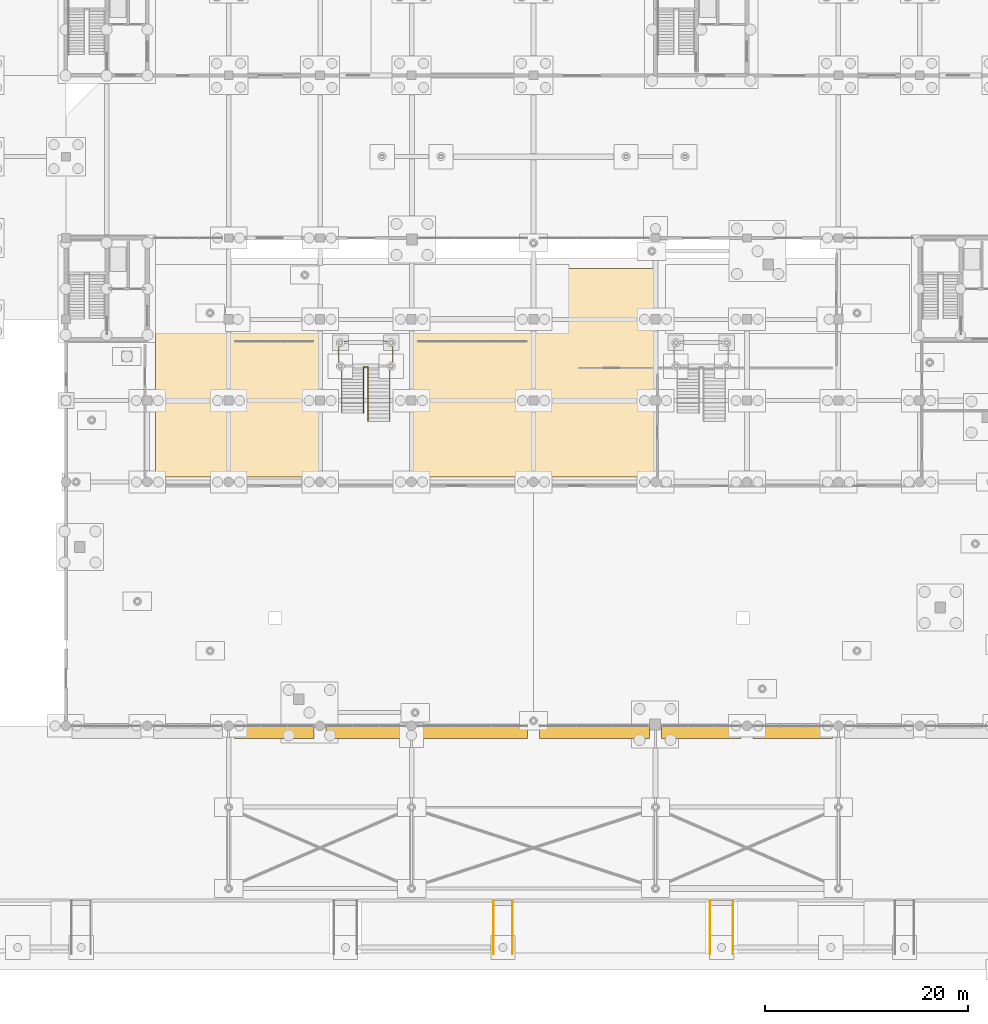
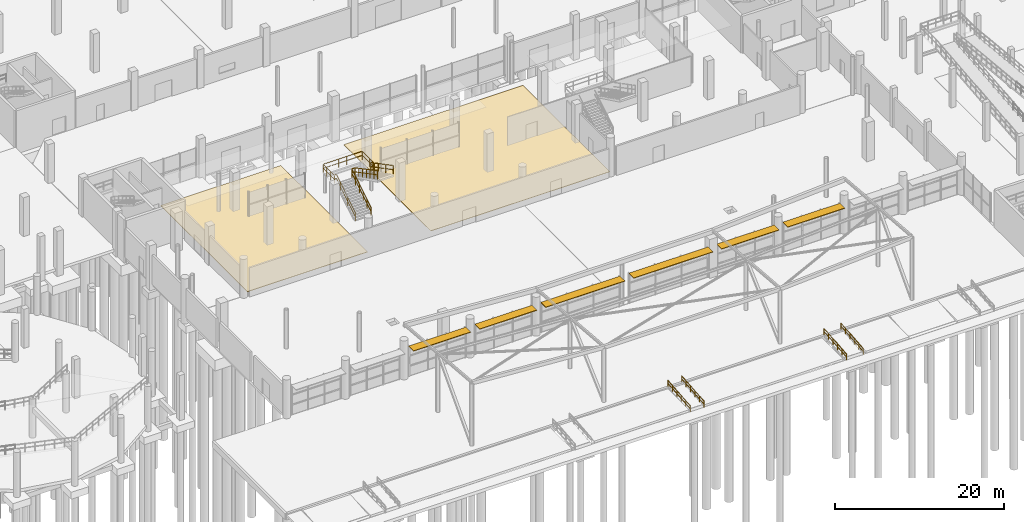
# One storey, part 90 of 98: 6 railings, 6 shading devices, 2 coverings.
"""IFC4 building model written with IfcOpenShell, lengths in metres."""

import ifcopenshell
import ifcopenshell.guid

model = None  # the IFC model being written
_history = None  # IfcOwnerHistory: only IFC2X3 demands one
_inside = {}  # id of a spatial element -> (the spatial element, [elements in it])
_under = {}  # id of a project, library or spatial element -> (it, [spatial elements below it])
_declared = {}  # id of a project -> (the project, [libraries it declares])
_typed = {}  # id of a type object -> (the type object, [elements of that type])
_made_of = {}  # id of a material, layer set ... -> (it, [elements and type objects made of it])


def new_model(schema):
    """Start an empty IFC model of exactly this schema.

    Asked for "IFC4X3", IfcOpenShell would pick the latest addendum, in which some entities
    have other attributes; the version numbers below select the first issue.
    IFC2X3 requires an IfcOwnerHistory on every rooted entity: one is made here for all.
    """
    global model, _history
    if schema == "IFC4X3":
        model = ifcopenshell.file(schema_version=(4, 3, 0, 0))
    else:
        model = ifcopenshell.file(schema=schema)
    _inside.clear()
    _under.clear()
    _declared.clear()
    _typed.clear()
    _made_of.clear()
    _history = None
    if model.schema == "IFC2X3":
        org = make("IfcOrganization", Name="unknown")
        user = make(
            "IfcPersonAndOrganization",
            ThePerson=make("IfcPerson", FamilyName="unknown"),
            TheOrganization=org,
        )
        app = make(
            "IfcApplication",
            ApplicationDeveloper=org,
            Version="unknown",
            ApplicationFullName="unknown",
            ApplicationIdentifier="unknown",
        )
        _history = make(
            "IfcOwnerHistory",
            OwningUser=user,
            OwningApplication=app,
            ChangeAction="ADDED",
            CreationDate=0,
        )
    return model


def make(cls, **values):
    """One entity of the class cls with the attributes given. An attribute that is None is left unset."""
    return model.create_entity(
        cls, **{name: value for name, value in values.items() if value is not None}
    )


def rooted(cls, **values):
    """An entity with a GlobalId (a new one), such as an element, a storey or a relation."""
    return make(cls, GlobalId=ifcopenshell.guid.new(), OwnerHistory=_history, **values)


def si_unit(unit_type, name, prefix=None):
    """IfcSIUnit, for example si_unit("LENGTHUNIT", "METRE", prefix="MILLI")."""
    return make("IfcSIUnit", UnitType=unit_type, Prefix=prefix, Name=name)


def derived_unit(unit_type, elements):
    """IfcDerivedUnit: a product of units, each with its exponent."""
    return make(
        "IfcDerivedUnit",
        Elements=[
            make("IfcDerivedUnitElement", Unit=unit, Exponent=power)
            for unit, power in elements
        ],
        UnitType=unit_type,
    )


def assignment(units):
    """IfcUnitAssignment: the units of a project."""
    return None if units is None else make("IfcUnitAssignment", Units=units)


def point(xyz):
    """IfcCartesianPoint."""
    return None if xyz is None else make("IfcCartesianPoint", Coordinates=xyz)


def direction(xyz):
    """IfcDirection."""
    return None if xyz is None else make("IfcDirection", DirectionRatios=xyz)


def frame(location, z_axis=None, x_axis=None):
    """IfcAxis2Placement3D, a coordinate frame: its origin and axes. An axis left out is left unset."""
    return make(
        "IfcAxis2Placement3D",
        Location=point(location),
        Axis=direction(z_axis),
        RefDirection=direction(x_axis),
    )


def frame_2d(location, x_axis=None):
    """IfcAxis2Placement2D, a coordinate frame in the plane: its origin and x axis."""
    return make(
        "IfcAxis2Placement2D", Location=point(location), RefDirection=direction(x_axis)
    )


def origin():
    """The frame at (0, 0, 0) with its axes left unset."""
    return frame((0.0, 0.0, 0.0))


def origin_2d():
    """The frame at (0, 0) in the plane with its x axis left unset."""
    return frame_2d((0.0, 0.0))


def place(relative_to, where):
    """IfcLocalPlacement: puts the frame where relative to a parent placement (None: the world)."""
    return make(
        "IfcLocalPlacement", PlacementRelTo=relative_to, RelativePlacement=where
    )


def context(
    kind, dimensions, precision=None, world=None, true_north=None, identifier=None
):
    """IfcGeometricRepresentationContext, for example the 3D "Model" context."""
    return make(
        "IfcGeometricRepresentationContext",
        ContextIdentifier=identifier,
        ContextType=kind,
        CoordinateSpaceDimension=dimensions,
        Precision=precision,
        WorldCoordinateSystem=world,
        TrueNorth=true_north,
    )


def subcontext(parent, identifier, kind, view, scale=None):
    """IfcGeometricRepresentationSubContext, for example "Body" below "Model"."""
    return make(
        "IfcGeometricRepresentationSubContext",
        ContextIdentifier=identifier,
        ContextType=kind,
        ParentContext=parent,
        TargetScale=scale,
        TargetView=view,
    )


def project(units=None, contexts=None):
    """IfcProject with its units and contexts."""
    return rooted(
        "IfcProject",
        Name="project",
        RepresentationContexts=contexts,
        UnitsInContext=assignment(units),
    )


def spatial(cls, under=None, at=None, **own):
    """A site, building, storey or space (cls), placed at a placement, below another one or the project."""
    s = rooted(cls, ObjectPlacement=at, **own)
    if under is not None:
        _under.setdefault(under.id(), (under, []))[1].append(s)
    return s


def polyline(points):
    """IfcPolyline through the points."""
    return make("IfcPolyline", Points=[point(p) for p in points])


def profile(cls, at=None, kind="AREA", **sizes):
    """A parametric profile (cls). Its sizes go by their IFC names, for example OverallWidth=200.0."""
    return make(cls, ProfileType=kind, Position=at, **sizes)


def rectangle(**sizes):
    """IfcRectangleProfileDef."""
    return profile("IfcRectangleProfileDef", **sizes)


def circle(**sizes):
    """IfcCircleProfileDef."""
    return profile("IfcCircleProfileDef", **sizes)


def outline(outer, holes=None, kind="AREA"):
    """IfcArbitraryClosedProfileDef: a profile drawn as a closed curve; with holes, ...WithVoids."""
    if holes is None:
        return make("IfcArbitraryClosedProfileDef", ProfileType=kind, OuterCurve=outer)
    return make(
        "IfcArbitraryProfileDefWithVoids",
        ProfileType=kind,
        OuterCurve=outer,
        InnerCurves=holes,
    )


def extrude(swept, where, along, depth):
    """IfcExtrudedAreaSolid: the profile swept, set in the frame where, extruded along a direction by depth."""
    return make(
        "IfcExtrudedAreaSolid",
        SweptArea=swept,
        Position=where,
        ExtrudedDirection=direction(along),
        Depth=depth,
    )


def shape(context_of_items, identifier, shape_type, items):
    """IfcShapeRepresentation: the items that make up one representation, for example the "Body"."""
    return make(
        "IfcShapeRepresentation",
        ContextOfItems=context_of_items,
        RepresentationIdentifier=identifier,
        RepresentationType=shape_type,
        Items=items,
    )


def material(Name=None, Category=None):
    """IfcMaterial."""
    return make("IfcMaterial", Name=Name, Category=Category)


def layer(
    of_material, thickness, ventilated=None, Name=None, Category=None, Priority=None
):
    """IfcMaterialLayer: one layer of a wall or slab, of a material (None: an air gap)."""
    return make(
        "IfcMaterialLayer",
        Material=of_material,
        LayerThickness=thickness,
        IsVentilated=ventilated,
        Name=Name,
        Category=Category,
        Priority=Priority,
    )


def layer_set(layers, Name=None):
    """IfcMaterialLayerSet."""
    return make("IfcMaterialLayerSet", MaterialLayers=layers, LayerSetName=Name)


def material_profile(
    of_material, cross_section, Name=None, Category=None, Priority=None
):
    """IfcMaterialProfile: a cross section and its material."""
    return make(
        "IfcMaterialProfile",
        Name=Name,
        Material=of_material,
        Profile=cross_section,
        Priority=Priority,
        Category=Category,
    )


def profile_set(profiles, Name=None, composite=None):
    """IfcMaterialProfileSet."""
    return make(
        "IfcMaterialProfileSet",
        Name=Name,
        MaterialProfiles=profiles,
        CompositeProfile=composite,
    )


def made_of(thing, what):
    """Note that an element or type object is made of a material, layer set ...; save() writes the relation."""
    if what is not None:
        _made_of.setdefault(what.id(), (what, []))[1].append(thing)
    return thing


def type_object(cls, material=None, **own):
    """A type object (cls), such as IfcWallType, which elements share."""
    return made_of(rooted(cls, **own), material)


def element(
    cls,
    number,
    at=None,
    inside=None,
    cuts=None,
    type_object=None,
    material=None,
    context=None,
    identifier="Body",
    shape_type=None,
    held_by="IfcProductDefinitionShape",
    body=None,
    shapes=None,
    **own,
):
    """One element of the class cls, such as IfcWall. Its Tag is "e" and its number.

    at: its placement. inside: the storey or other place that contains it. cuts: it is an
    opening in that element (IfcRelVoidsElement). A single representation is given by context,
    identifier, shape_type and body (its items); several are given by shapes. held_by: the class
    of the entity that holds the representations. save() writes the other relations.
    """
    e = rooted(cls, Tag="e%d" % number, ObjectPlacement=at, **own)
    if body is not None:
        shapes = [shape(context, identifier, shape_type, body)]
    if shapes is not None:
        e.Representation = make(held_by, Representations=shapes)
    if inside is not None:
        _inside.setdefault(inside.id(), (inside, []))[1].append(e)
    if cuts is not None:
        rooted(
            "IfcRelVoidsElement", RelatingBuildingElement=cuts, RelatedOpeningElement=e
        )
    if type_object is not None:
        _typed.setdefault(type_object.id(), (type_object, []))[1].append(e)
    return made_of(e, material)


def aggregate(whole, parts):
    """IfcRelAggregates: a whole, such as a stair, and the parts it consists of."""
    return rooted("IfcRelAggregates", RelatingObject=whole, RelatedObjects=parts)


def save(model, path):
    """Write the relations noted so far, then the file.

    IfcRelAggregates (storeys below a building ...), IfcRelContainedInSpatialStructure (elements
    in a storey), IfcRelDefinesByType, IfcRelAssociatesMaterial and IfcRelDeclares: one each for
    every whole, place, type object, material and project.
    """
    for whole, parts in _under.values():
        aggregate(whole, parts)
    for where, things in _inside.values():
        rooted(
            "IfcRelContainedInSpatialStructure",
            RelatedElements=things,
            RelatingStructure=where,
        )
    for kind, things in _typed.values():
        rooted("IfcRelDefinesByType", RelatedObjects=things, RelatingType=kind)
    for what, things in _made_of.values():
        rooted("IfcRelAssociatesMaterial", RelatedObjects=things, RelatingMaterial=what)
    for by, libraries in _declared.values():
        rooted("IfcRelDeclares", RelatingContext=by, RelatedDefinitions=libraries)
    model.write(path)


model = new_model("IFC4")

# Units and contexts
model_context = context("Model", 3, precision=1e-05, world=origin(), true_north=direction((0.0, 1.0)))
body_context = subcontext(model_context, "Body", "Model", "MODEL_VIEW")
ifc_project = project(units=[si_unit("LENGTHUNIT", "METRE"), si_unit("AREAUNIT", "SQUARE_METRE"), si_unit("VOLUMEUNIT", "CUBIC_METRE"), si_unit("PLANEANGLEUNIT", "RADIAN"), si_unit("MASSUNIT", "GRAM", prefix="KILO"), si_unit("THERMODYNAMICTEMPERATUREUNIT", "KELVIN"), derived_unit("THERMALTRANSMITTANCEUNIT", [(si_unit("POWERUNIT", "WATT"), 1), (si_unit("AREAUNIT", "SQUARE_METRE"), -1), (si_unit("THERMODYNAMICTEMPERATUREUNIT", "KELVIN"), -1)])], contexts=[model_context])

# Site, building, storey
site_placement = place(None, origin())
site = spatial("IfcSite", under=ifc_project, at=site_placement, CompositionType="ELEMENT")
building_placement = place(site_placement, origin())
building = spatial("IfcBuilding", under=site, at=building_placement, Name="Haiyu Intermodal Mobility Hub", CompositionType="ELEMENT")
storey_placement = place(building_placement, origin())
storey = spatial("IfcBuildingStorey", under=building, at=storey_placement, Name="L00", CompositionType="ELEMENT", Elevation=0.0)

# Coverings
ifc_material_1 = material(Name="Anodised aluminium 6063-T6", Category="aluminium")
ifc_layer = layer(ifc_material_1, 0.06005859375)
ifc_layer_set = layer_set([ifc_layer], Name="Anodised aluminium 6063-T6")
covering_type = type_object("IfcCoveringType", Name="COV-CV02", PredefinedType="CLADDING", material=ifc_layer_set)
covering_1_placement = place(storey_placement, origin())
element("IfcCovering", 1, at=covering_1_placement, inside=storey, type_object=covering_type, Name="COV-FLR-001", PredefinedType="CLADDING", context=body_context, shape_type="SweptSolid", body=[
    extrude(outline(polyline([(70.800048828125, 64.5), (87.199951171875, 64.5), (87.199951171875, 85.0), (70.800048828125, 85.0), (70.800048828125, 64.5)])), origin(), (0.0, 0.0, 1.0), 0.06005859375),
])
covering_2_placement = place(storey_placement, origin())
element("IfcCovering", 2, at=covering_2_placement, inside=storey, type_object=covering_type, Name="COV-FLR-002", PredefinedType="CLADDING", context=body_context, shape_type="SweptSolid", body=[
    extrude(outline(polyline([(95.800048828125, 64.5), (120.199951171875, 64.5), (120.199951171875, 85.0), (95.800048828125, 85.0), (95.800048828125, 64.5)])), origin(), (0.0, 0.0, 1.0), 0.06005859375),
])

# Railings
ifc_material_2 = material(Name="Steel Q355C", Category="steel")
railing_type_1 = type_object("IfcRailingType", Name="RAL-GR03", PredefinedType="GUARDRAIL", material=ifc_material_2)
railing_1_placement = place(storey_placement, frame((89.139892578125, 70.800048828125, 0.0)))
element("IfcRailing", 3, at=railing_1_placement, inside=storey, type_object=railing_type_1, Name="Concourse Stair 01 Outer & Half-Landing Guard", PredefinedType="GUARDRAIL", context=body_context, shape_type="SweptSolid", body=[
    extrude(circle(Radius=0.02392578125, at=origin_2d()), frame((0.0, 0.025390625, 1.23193359375), z_axis=(0.0, 0.845843487117, 0.533431153291), x_axis=(-1.0, 0.0, 0.0)), (0.0, 0.0, 1.0), 5.189208984375),
    extrude(circle(Radius=0.02392578125, at=origin_2d()), frame((0.0, 0.031494140625, 0.639892578125), z_axis=(0.0, 0.845843487117, 0.533431153291), x_axis=(-1.0, 0.0, 0.0)), (0.0, 0.0, 1.0), 0.975341796875),
    extrude(circle(Radius=0.02392578125, at=origin_2d()), frame((0.0, 0.91943359375, 1.199951171875), z_axis=(0.0, 0.845843487117, 0.533431153291), x_axis=(-1.0, 0.0, 0.0)), (0.0, 0.0, 1.0), 0.975341796875),
    extrude(circle(Radius=0.02392578125, at=origin_2d()), frame((0.0, 1.8076171875, 1.760009765625), z_axis=(0.0, 0.845843487117, 0.533431153291), x_axis=(-1.0, 0.0, 0.0)), (0.0, 0.0, 1.0), 0.975341796875),
    extrude(circle(Radius=0.02392578125, at=origin_2d()), frame((0.0, 2.695556640625, 2.31982421875), z_axis=(0.0, 0.845843487117, 0.533431153291), x_axis=(-1.0, 0.0, 0.0)), (0.0, 0.0, 1.0), 0.975341796875),
    extrude(circle(Radius=0.02392578125, at=origin_2d()), frame((0.0, 3.58349609375, 2.8798828125), z_axis=(0.0, 0.845843487117, 0.533431153291), x_axis=(-1.0, 0.0, 0.0)), (0.0, 0.0, 1.0), 0.975341796875),
    extrude(circle(Radius=0.02392578125, at=origin_2d()), frame((-0.030029296875, 4.43994140625, 4.01611328125), z_axis=(-1.0, 0.0, 0.0), x_axis=(0.0, -1.0, 0.0)), (0.0, 0.0, 1.0), 0.23974609375),
    extrude(circle(Radius=0.02392578125, at=origin_2d()), frame((-0.037353515625, 4.43994140625, 3.419921875), z_axis=(-1.0, 0.0, 0.0), x_axis=(0.0, -1.0, 0.0)), (0.0, 0.0, 1.0), 0.22509765625),
    extrude(circle(Radius=0.02392578125, at=origin_2d()), frame((-0.2998046875, 4.469970703125, 4.01611328125), z_axis=(0.0, 1.0, 0.0), x_axis=(-1.0, 0.0, 0.0)), (0.0, 0.0, 1.0), 2.5400390625),
    extrude(circle(Radius=0.02392578125, at=origin_2d()), frame((-0.2998046875, 4.477294921875, 3.419921875), z_axis=(0.0, 1.0, 0.0), x_axis=(-1.0, 0.0, 0.0)), (0.0, 0.0, 1.0), 0.7919921875),
    extrude(circle(Radius=0.02392578125, at=origin_2d()), frame((-0.2998046875, 5.343994140625, 3.419921875), z_axis=(0.0, 1.0, 0.0), x_axis=(-1.0, 0.0, 0.0)), (0.0, 0.0, 1.0), 0.7919921875),
    extrude(circle(Radius=0.02392578125, at=origin_2d()), frame((-0.2998046875, 6.210693359375, 3.419921875), z_axis=(0.0, 1.0, 0.0), x_axis=(-1.0, 0.0, 0.0)), (0.0, 0.0, 1.0), 0.7919921875),
    extrude(circle(Radius=0.02392578125, at=origin_2d()), frame((-0.269775390625, 7.0400390625, 4.01611328125), z_axis=(1.0, 0.0, 0.0), x_axis=(0.0, 1.0, 0.0)), (0.0, 0.0, 1.0), 5.259765625),
    extrude(circle(Radius=0.02392578125, at=origin_2d()), frame((-0.262451171875, 7.0400390625, 3.419921875), z_axis=(1.0, 0.0, 0.0), x_axis=(0.0, 1.0, 0.0)), (0.0, 0.0, 1.0), 0.9892578125),
    extrude(circle(Radius=0.02392578125, at=origin_2d()), frame((0.801513671875, 7.0400390625, 3.419921875), z_axis=(1.0, 0.0, 0.0), x_axis=(0.0, 1.0, 0.0)), (0.0, 0.0, 1.0), 0.9892578125),
    extrude(circle(Radius=0.02392578125, at=origin_2d()), frame((1.865478515625, 7.0400390625, 3.419921875), z_axis=(1.0, 0.0, 0.0), x_axis=(0.0, 1.0, 0.0)), (0.0, 0.0, 1.0), 0.9892578125),
    extrude(circle(Radius=0.02392578125, at=origin_2d()), frame((2.929443359375, 7.0400390625, 3.419921875), z_axis=(1.0, 0.0, 0.0), x_axis=(0.0, 1.0, 0.0)), (0.0, 0.0, 1.0), 0.9892578125),
    extrude(circle(Radius=0.02392578125, at=origin_2d()), frame((3.993408203125, 7.0400390625, 3.419921875), z_axis=(1.0, 0.0, 0.0), x_axis=(0.0, 1.0, 0.0)), (0.0, 0.0, 1.0), 0.9892578125),
    extrude(circle(Radius=0.02392578125, at=origin_2d()), frame((5.02001953125, 7.010009765625, 4.01611328125), z_axis=(0.0, -1.0, 0.0), x_axis=(1.0, 0.0, 0.0)), (0.0, 0.0, 1.0), 2.5400390625),
    extrude(circle(Radius=0.02392578125, at=origin_2d()), frame((5.02001953125, 7.002685546875, 3.419921875), z_axis=(0.0, -1.0, 0.0), x_axis=(1.0, 0.0, 0.0)), (0.0, 0.0, 1.0), 0.7919921875),
    extrude(circle(Radius=0.02392578125, at=origin_2d()), frame((5.02001953125, 6.135986328125, 3.419921875), z_axis=(0.0, -1.0, 0.0), x_axis=(1.0, 0.0, 0.0)), (0.0, 0.0, 1.0), 0.7919921875),
    extrude(circle(Radius=0.02392578125, at=origin_2d()), frame((5.02001953125, 5.269287109375, 3.419921875), z_axis=(0.0, -1.0, 0.0), x_axis=(1.0, 0.0, 0.0)), (0.0, 0.0, 1.0), 0.7919921875),
    extrude(circle(Radius=0.02392578125, at=origin_2d()), frame((4.991943359375, 4.4501953125, 4.01611328125), z_axis=(-0.938695003557, 0.34474873502, 0.0), x_axis=(-0.34474873502, -0.938695003557, 0.0)), (0.0, 0.0, 1.0), 0.25927734375),
    extrude(circle(Radius=0.02392578125, at=origin_2d()), frame((4.985107421875, 4.452880859375, 3.419921875), z_axis=(-0.938695003557, 0.34474873502, 0.0), x_axis=(-0.34474873502, -0.938695003557, 0.0)), (0.0, 0.0, 1.0), 0.244873046875),
    extrude(circle(Radius=0.02392578125, at=origin_2d()), frame((4.72021484375, 4.5234375, 4.02978515625), z_axis=(0.0, -0.885993706674, 0.463697263021), x_axis=(1.0, 0.0, 0.0)), (0.0, 0.0, 1.0), 5.978515625),
    extrude(circle(Radius=0.02392578125, at=origin_2d()), frame((4.72021484375, 4.51708984375, 3.437255859375), z_axis=(0.0, -0.885993706674, 0.463697263021), x_axis=(1.0, 0.0, 0.0)), (0.0, 0.0, 1.0), 0.931884765625),
    extrude(circle(Radius=0.02392578125, at=origin_2d()), frame((4.72021484375, 3.625244140625, 3.904052734375), z_axis=(0.0, -0.885993706674, 0.463697263021), x_axis=(1.0, 0.0, 0.0)), (0.0, 0.0, 1.0), 0.931884765625),
    extrude(circle(Radius=0.02392578125, at=origin_2d()), frame((4.72021484375, 2.733642578125, 4.37060546875), z_axis=(0.0, -0.885993706674, 0.463697263021), x_axis=(1.0, 0.0, 0.0)), (0.0, 0.0, 1.0), 0.931884765625),
    extrude(circle(Radius=0.02392578125, at=origin_2d()), frame((4.72021484375, 1.842041015625, 4.83740234375), z_axis=(0.0, -0.885993706674, 0.463697263021), x_axis=(1.0, 0.0, 0.0)), (0.0, 0.0, 1.0), 0.931884765625),
    extrude(circle(Radius=0.02392578125, at=origin_2d()), frame((4.72021484375, 0.9501953125, 5.303955078125), z_axis=(0.0, -0.885993706674, 0.463697263021), x_axis=(1.0, 0.0, 0.0)), (0.0, 0.0, 1.0), 0.931884765625),
    extrude(circle(Radius=0.02392578125, at=origin_2d()), frame((4.72021484375, 0.05859375, 5.770751953125), z_axis=(0.0, -0.885993706674, 0.463697263021), x_axis=(1.0, 0.0, 0.0)), (0.0, 0.0, 1.0), 0.931884765625),
    extrude(circle(Radius=0.02099609375, at=origin_2d()), origin(), (0.0, 0.0, 1.0), 1.183837890625),
    extrude(circle(Radius=0.02099609375, at=origin_2d()), frame((0.0, 0.887939453125, 0.56005859375)), (0.0, 0.0, 1.0), 1.183837890625),
    extrude(circle(Radius=0.02099609375, at=origin_2d()), frame((0.0, 1.77587890625, 1.1201171875)), (0.0, 0.0, 1.0), 1.183837890625),
    extrude(circle(Radius=0.02099609375, at=origin_2d()), frame((0.0, 2.6640625, 1.679931640625)), (0.0, 0.0, 1.0), 1.183837890625),
    extrude(circle(Radius=0.02099609375, at=origin_2d()), frame((0.0, 3.552001953125, 2.239990234375)), (0.0, 0.0, 1.0), 1.183837890625),
    extrude(circle(Radius=0.02099609375, at=origin_2d()), frame((0.0, 4.43994140625, 2.800048828125)), (0.0, 0.0, 1.0), 1.183837890625),
    extrude(circle(Radius=0.02099609375, at=origin_2d()), frame((-0.2998046875, 4.43994140625, 2.800048828125)), (0.0, 0.0, 1.0), 1.183837890625),
    extrude(circle(Radius=0.02099609375, at=origin_2d()), frame((-0.2998046875, 5.306640625, 2.800048828125)), (0.0, 0.0, 1.0), 1.183837890625),
    extrude(circle(Radius=0.02099609375, at=origin_2d()), frame((-0.2998046875, 6.17333984375, 2.800048828125)), (0.0, 0.0, 1.0), 1.183837890625),
    extrude(circle(Radius=0.02099609375, at=origin_2d()), frame((-0.2998046875, 7.0400390625, 2.800048828125)), (0.0, 0.0, 1.0), 1.183837890625),
    extrude(circle(Radius=0.02099609375, at=origin_2d()), frame((0.76416015625, 7.0400390625, 2.800048828125)), (0.0, 0.0, 1.0), 1.183837890625),
    extrude(circle(Radius=0.02099609375, at=origin_2d()), frame((1.828125, 7.0400390625, 2.800048828125)), (0.0, 0.0, 1.0), 1.183837890625),
    extrude(circle(Radius=0.02099609375, at=origin_2d()), frame((2.89208984375, 7.0400390625, 2.800048828125)), (0.0, 0.0, 1.0), 1.183837890625),
    extrude(circle(Radius=0.02099609375, at=origin_2d()), frame((3.9560546875, 7.0400390625, 2.800048828125)), (0.0, 0.0, 1.0), 1.183837890625),
    extrude(circle(Radius=0.02099609375, at=origin_2d()), frame((5.02001953125, 7.0400390625, 2.800048828125)), (0.0, 0.0, 1.0), 1.183837890625),
    extrude(circle(Radius=0.02099609375, at=origin_2d()), frame((5.02001953125, 6.17333984375, 2.800048828125)), (0.0, 0.0, 1.0), 1.183837890625),
    extrude(circle(Radius=0.02099609375, at=origin_2d()), frame((5.02001953125, 5.306640625, 2.800048828125)), (0.0, 0.0, 1.0), 1.183837890625),
    extrude(circle(Radius=0.02099609375, at=origin_2d()), frame((5.02001953125, 4.43994140625, 2.800048828125)), (0.0, 0.0, 1.0), 1.183837890625),
    extrude(circle(Radius=0.02099609375, at=origin_2d()), frame((4.72021484375, 4.550048828125, 2.800048828125)), (0.0, 0.0, 1.0), 1.183837890625),
    extrude(circle(Radius=0.02099609375, at=origin_2d()), frame((4.72021484375, 3.658447265625, 3.2666015625)), (0.0, 0.0, 1.0), 1.183837890625),
    extrude(circle(Radius=0.02099609375, at=origin_2d()), frame((4.72021484375, 2.7666015625, 3.7333984375)), (0.0, 0.0, 1.0), 1.183837890625),
    extrude(circle(Radius=0.02099609375, at=origin_2d()), frame((4.72021484375, 1.875, 4.2001953125)), (0.0, 0.0, 1.0), 1.183837890625),
    extrude(circle(Radius=0.02099609375, at=origin_2d()), frame((4.72021484375, 0.9833984375, 4.666748046875)), (0.0, 0.0, 1.0), 1.183837890625),
    extrude(circle(Radius=0.02099609375, at=origin_2d()), frame((4.72021484375, 0.091552734375, 5.13330078125)), (0.0, 0.0, 1.0), 1.183837890625),
    extrude(circle(Radius=0.02099609375, at=origin_2d()), frame((4.72021484375, -0.800048828125, 5.60009765625)), (0.0, 0.0, 1.0), 1.183837890625),
])
railing_2_placement = place(storey_placement, frame((91.280029296875, 70.800048828125, 0.0)))
element("IfcRailing", 4, at=railing_2_placement, inside=storey, type_object=railing_type_1, Name="Concourse Stair 01 Center Well Guard", PredefinedType="GUARDRAIL", context=body_context, shape_type="SweptSolid", body=[
    extrude(circle(Radius=0.02392578125, at=origin_2d()), frame((0.0, 0.025390625, 1.231689453125), z_axis=(0.0, 0.850101687439, 0.526618572606), x_axis=(-1.0, 0.0, 0.0)), (0.0, 0.0, 1.0), 5.257080078125),
    extrude(circle(Radius=0.02392578125, at=origin_2d()), frame((0.0, 0.03173828125, 0.6396484375), z_axis=(0.0, 0.850101687439, 0.526618572606), x_axis=(-1.0, 0.0, 0.0)), (0.0, 0.0, 1.0), 0.98876953125),
    extrude(circle(Radius=0.02392578125, at=origin_2d()), frame((0.0, 0.935791015625, 1.19970703125), z_axis=(0.0, 0.850101687439, 0.526618572606), x_axis=(-1.0, 0.0, 0.0)), (0.0, 0.0, 1.0), 0.98876953125),
    extrude(circle(Radius=0.02392578125, at=origin_2d()), frame((0.0, 1.839599609375, 1.759765625), z_axis=(0.0, 0.850101687439, 0.526618572606), x_axis=(-1.0, 0.0, 0.0)), (0.0, 0.0, 1.0), 0.98876953125),
    extrude(circle(Radius=0.02392578125, at=origin_2d()), frame((0.0, 2.74365234375, 2.319580078125), z_axis=(0.0, 0.850101687439, 0.526618572606), x_axis=(-1.0, 0.0, 0.0)), (0.0, 0.0, 1.0), 0.98876953125),
    extrude(circle(Radius=0.02392578125, at=origin_2d()), frame((0.0, 3.647705078125, 2.879638671875), z_axis=(0.0, 0.850101687439, 0.526618572606), x_axis=(-1.0, 0.0, 0.0)), (0.0, 0.0, 1.0), 0.98876953125),
    extrude(circle(Radius=0.02392578125, at=origin_2d()), frame((0.030029296875, 4.52001953125, 4.01611328125), z_axis=(1.0, 0.0, 0.0), x_axis=(0.0, 1.0, 0.0)), (0.0, 0.0, 1.0), 0.3798828125),
    extrude(circle(Radius=0.02392578125, at=origin_2d()), frame((0.037353515625, 4.52001953125, 3.419921875), z_axis=(1.0, 0.0, 0.0), x_axis=(0.0, 1.0, 0.0)), (0.0, 0.0, 1.0), 0.365234375),
    extrude(circle(Radius=0.02392578125, at=origin_2d()), frame((0.43994140625, 4.493408203125, 4.030029296875), z_axis=(0.0, -0.884917341484, 0.465748106534), x_axis=(1.0, 0.0, 0.0)), (0.0, 0.0, 1.0), 5.951904296875),
    extrude(circle(Radius=0.02392578125, at=origin_2d()), frame((0.43994140625, 4.487060546875, 3.4375), z_axis=(0.0, -0.884917341484, 0.465748106534), x_axis=(1.0, 0.0, 0.0)), (0.0, 0.0, 1.0), 0.927490234375),
    extrude(circle(Radius=0.02392578125, at=origin_2d()), frame((0.43994140625, 3.600341796875, 3.904052734375), z_axis=(0.0, -0.884917341484, 0.465748106534), x_axis=(1.0, 0.0, 0.0)), (0.0, 0.0, 1.0), 0.927490234375),
    extrude(circle(Radius=0.02392578125, at=origin_2d()), frame((0.43994140625, 2.713623046875, 4.370849609375), z_axis=(0.0, -0.884917341484, 0.465748106534), x_axis=(1.0, 0.0, 0.0)), (0.0, 0.0, 1.0), 0.927490234375),
    extrude(circle(Radius=0.02392578125, at=origin_2d()), frame((0.43994140625, 1.826904296875, 4.83740234375), z_axis=(0.0, -0.884917341484, 0.465748106534), x_axis=(1.0, 0.0, 0.0)), (0.0, 0.0, 1.0), 0.927490234375),
    extrude(circle(Radius=0.02392578125, at=origin_2d()), frame((0.43994140625, 0.940185546875, 5.30419921875), z_axis=(0.0, -0.884917341484, 0.465748106534), x_axis=(1.0, 0.0, 0.0)), (0.0, 0.0, 1.0), 0.927490234375),
    extrude(circle(Radius=0.02392578125, at=origin_2d()), frame((0.43994140625, 0.0537109375, 5.770751953125), z_axis=(0.0, -0.884917341484, 0.465748106534), x_axis=(1.0, 0.0, 0.0)), (0.0, 0.0, 1.0), 0.927490234375),
    extrude(circle(Radius=0.02099609375, at=origin_2d()), origin(), (0.0, 0.0, 1.0), 1.183837890625),
    extrude(circle(Radius=0.02099609375, at=origin_2d()), frame((0.0, 0.904052734375, 0.56005859375)), (0.0, 0.0, 1.0), 1.183837890625),
    extrude(circle(Radius=0.02099609375, at=origin_2d()), frame((0.0, 1.80810546875, 1.1201171875)), (0.0, 0.0, 1.0), 1.183837890625),
    extrude(circle(Radius=0.02099609375, at=origin_2d()), frame((0.0, 2.7119140625, 1.679931640625)), (0.0, 0.0, 1.0), 1.183837890625),
    extrude(circle(Radius=0.02099609375, at=origin_2d()), frame((0.0, 3.615966796875, 2.239990234375)), (0.0, 0.0, 1.0), 1.183837890625),
    extrude(circle(Radius=0.02099609375, at=origin_2d()), frame((0.0, 4.52001953125, 2.800048828125)), (0.0, 0.0, 1.0), 1.183837890625),
    extrude(circle(Radius=0.02099609375, at=origin_2d()), frame((0.43994140625, 4.52001953125, 2.800048828125)), (0.0, 0.0, 1.0), 1.183837890625),
    extrude(circle(Radius=0.02099609375, at=origin_2d()), frame((0.43994140625, 3.63330078125, 3.2666015625)), (0.0, 0.0, 1.0), 1.183837890625),
    extrude(circle(Radius=0.02099609375, at=origin_2d()), frame((0.43994140625, 2.74658203125, 3.7333984375)), (0.0, 0.0, 1.0), 1.183837890625),
    extrude(circle(Radius=0.02099609375, at=origin_2d()), frame((0.43994140625, 1.85986328125, 4.2001953125)), (0.0, 0.0, 1.0), 1.183837890625),
    extrude(circle(Radius=0.02099609375, at=origin_2d()), frame((0.43994140625, 0.973388671875, 4.666748046875)), (0.0, 0.0, 1.0), 1.183837890625),
    extrude(circle(Radius=0.02099609375, at=origin_2d()), frame((0.43994140625, 0.086669921875, 5.13330078125)), (0.0, 0.0, 1.0), 1.183837890625),
    extrude(circle(Radius=0.02099609375, at=origin_2d()), frame((0.43994140625, -0.800048828125, 5.60009765625)), (0.0, 0.0, 1.0), 1.183837890625),
])
railing_type_2 = type_object("IfcRailingType", Name="RAL-HR02", PredefinedType="HANDRAIL", material=ifc_material_2)
railing_3_placement = place(storey_placement, frame((125.360107421875, 17.56005859375, -0.449951171875)))
element("IfcRailing", 5, at=railing_3_placement, inside=storey, type_object=railing_type_2, Name="RAL-ACC-04-W", PredefinedType="HANDRAIL", context=body_context, shape_type="SweptSolid", body=[
    extrude(circle(Radius=0.02392578125, at=origin_2d()), frame((0.0, 0.02978515625, 0.87841796875), z_axis=(0.0, 0.99638864189, 0.084909801036), x_axis=(-1.0, 0.0, 0.0)), (0.0, 0.0, 1.0), 5.2392578125),
    extrude(circle(Radius=0.02392578125, at=origin_2d()), frame((0.0, 0.037109375, 0.453125), z_axis=(0.0, 0.99638864189, 0.084909801036), x_axis=(-1.0, 0.0, 0.0)), (0.0, 0.0, 1.0), 0.9853515625),
    extrude(circle(Radius=0.02392578125, at=origin_2d()), frame((0.0, 1.09326171875, 0.543212890625), z_axis=(0.0, 0.99638864189, 0.084909801036), x_axis=(-1.0, 0.0, 0.0)), (0.0, 0.0, 1.0), 0.9853515625),
    extrude(circle(Radius=0.02392578125, at=origin_2d()), frame((0.0, 2.149169921875, 0.633056640625), z_axis=(0.0, 0.99638864189, 0.084909801036), x_axis=(-1.0, 0.0, 0.0)), (0.0, 0.0, 1.0), 0.9853515625),
    extrude(circle(Radius=0.02392578125, at=origin_2d()), frame((0.0, 3.205078125, 0.72314453125), z_axis=(0.0, 0.99638864189, 0.084909801036), x_axis=(-1.0, 0.0, 0.0)), (0.0, 0.0, 1.0), 0.9853515625),
    extrude(circle(Radius=0.02392578125, at=origin_2d()), frame((0.0, 4.26123046875, 0.81298828125), z_axis=(0.0, 0.99638864189, 0.084909801036), x_axis=(-1.0, 0.0, 0.0)), (0.0, 0.0, 1.0), 0.9853515625),
    extrude(circle(Radius=0.02099609375, at=origin_2d()), origin(), (0.0, 0.0, 1.0), 0.84375),
    extrude(circle(Radius=0.02099609375, at=origin_2d()), frame((0.0, 1.055908203125, 0.090087890625)), (0.0, 0.0, 1.0), 0.84375),
    extrude(circle(Radius=0.02099609375, at=origin_2d()), frame((0.0, 2.112060546875, 0.179931640625)), (0.0, 0.0, 1.0), 0.84375),
    extrude(circle(Radius=0.02099609375, at=origin_2d()), frame((0.0, 3.16796875, 0.27001953125)), (0.0, 0.0, 1.0), 0.84375),
    extrude(circle(Radius=0.02099609375, at=origin_2d()), frame((0.0, 4.22412109375, 0.35986328125)), (0.0, 0.0, 1.0), 0.84375),
    extrude(circle(Radius=0.02099609375, at=origin_2d()), frame((0.0, 5.280029296875, 0.449951171875)), (0.0, 0.0, 1.0), 0.84375),
])
railing_4_placement = place(storey_placement, frame((127.639892578125, 17.56005859375, -0.449951171875)))
element("IfcRailing", 6, at=railing_4_placement, inside=storey, type_object=railing_type_2, Name="RAL-ACC-04-E", PredefinedType="HANDRAIL", context=body_context, shape_type="SweptSolid", body=[
    extrude(circle(Radius=0.02392578125, at=origin_2d()), frame((0.0, 0.02978515625, 0.87841796875), z_axis=(0.0, 0.99638864189, 0.084909801036), x_axis=(-1.0, 0.0, 0.0)), (0.0, 0.0, 1.0), 5.2392578125),
    extrude(circle(Radius=0.02392578125, at=origin_2d()), frame((0.0, 0.037109375, 0.453125), z_axis=(0.0, 0.99638864189, 0.084909801036), x_axis=(-1.0, 0.0, 0.0)), (0.0, 0.0, 1.0), 0.9853515625),
    extrude(circle(Radius=0.02392578125, at=origin_2d()), frame((0.0, 1.09326171875, 0.543212890625), z_axis=(0.0, 0.99638864189, 0.084909801036), x_axis=(-1.0, 0.0, 0.0)), (0.0, 0.0, 1.0), 0.9853515625),
    extrude(circle(Radius=0.02392578125, at=origin_2d()), frame((0.0, 2.149169921875, 0.633056640625), z_axis=(0.0, 0.99638864189, 0.084909801036), x_axis=(-1.0, 0.0, 0.0)), (0.0, 0.0, 1.0), 0.9853515625),
    extrude(circle(Radius=0.02392578125, at=origin_2d()), frame((0.0, 3.205078125, 0.72314453125), z_axis=(0.0, 0.99638864189, 0.084909801036), x_axis=(-1.0, 0.0, 0.0)), (0.0, 0.0, 1.0), 0.9853515625),
    extrude(circle(Radius=0.02392578125, at=origin_2d()), frame((0.0, 4.26123046875, 0.81298828125), z_axis=(0.0, 0.99638864189, 0.084909801036), x_axis=(-1.0, 0.0, 0.0)), (0.0, 0.0, 1.0), 0.9853515625),
    extrude(circle(Radius=0.02099609375, at=origin_2d()), origin(), (0.0, 0.0, 1.0), 0.84375),
    extrude(circle(Radius=0.02099609375, at=origin_2d()), frame((0.0, 1.055908203125, 0.090087890625)), (0.0, 0.0, 1.0), 0.84375),
    extrude(circle(Radius=0.02099609375, at=origin_2d()), frame((0.0, 2.112060546875, 0.179931640625)), (0.0, 0.0, 1.0), 0.84375),
    extrude(circle(Radius=0.02099609375, at=origin_2d()), frame((0.0, 3.16796875, 0.27001953125)), (0.0, 0.0, 1.0), 0.84375),
    extrude(circle(Radius=0.02099609375, at=origin_2d()), frame((0.0, 4.22412109375, 0.35986328125)), (0.0, 0.0, 1.0), 0.84375),
    extrude(circle(Radius=0.02099609375, at=origin_2d()), frame((0.0, 5.280029296875, 0.449951171875)), (0.0, 0.0, 1.0), 0.84375),
])
railing_5_placement = place(storey_placement, frame((104.06005859375, 17.56005859375, -0.449951171875)))
element("IfcRailing", 7, at=railing_5_placement, inside=storey, type_object=railing_type_2, Name="RAL-ACC-05-W", PredefinedType="HANDRAIL", context=body_context, shape_type="SweptSolid", body=[
    extrude(circle(Radius=0.02392578125, at=origin_2d()), frame((0.0, 0.02978515625, 0.87841796875), z_axis=(0.0, 0.99638864189, 0.084909801036), x_axis=(-1.0, 0.0, 0.0)), (0.0, 0.0, 1.0), 5.2392578125),
    extrude(circle(Radius=0.02392578125, at=origin_2d()), frame((0.0, 0.037109375, 0.453125), z_axis=(0.0, 0.99638864189, 0.084909801036), x_axis=(-1.0, 0.0, 0.0)), (0.0, 0.0, 1.0), 0.9853515625),
    extrude(circle(Radius=0.02392578125, at=origin_2d()), frame((0.0, 1.09326171875, 0.543212890625), z_axis=(0.0, 0.99638864189, 0.084909801036), x_axis=(-1.0, 0.0, 0.0)), (0.0, 0.0, 1.0), 0.9853515625),
    extrude(circle(Radius=0.02392578125, at=origin_2d()), frame((0.0, 2.149169921875, 0.633056640625), z_axis=(0.0, 0.99638864189, 0.084909801036), x_axis=(-1.0, 0.0, 0.0)), (0.0, 0.0, 1.0), 0.9853515625),
    extrude(circle(Radius=0.02392578125, at=origin_2d()), frame((0.0, 3.205078125, 0.72314453125), z_axis=(0.0, 0.99638864189, 0.084909801036), x_axis=(-1.0, 0.0, 0.0)), (0.0, 0.0, 1.0), 0.9853515625),
    extrude(circle(Radius=0.02392578125, at=origin_2d()), frame((0.0, 4.26123046875, 0.81298828125), z_axis=(0.0, 0.99638864189, 0.084909801036), x_axis=(-1.0, 0.0, 0.0)), (0.0, 0.0, 1.0), 0.9853515625),
    extrude(circle(Radius=0.02099609375, at=origin_2d()), origin(), (0.0, 0.0, 1.0), 0.84375),
    extrude(circle(Radius=0.02099609375, at=origin_2d()), frame((0.0, 1.055908203125, 0.090087890625)), (0.0, 0.0, 1.0), 0.84375),
    extrude(circle(Radius=0.02099609375, at=origin_2d()), frame((0.0, 2.112060546875, 0.179931640625)), (0.0, 0.0, 1.0), 0.84375),
    extrude(circle(Radius=0.02099609375, at=origin_2d()), frame((0.0, 3.16796875, 0.27001953125)), (0.0, 0.0, 1.0), 0.84375),
    extrude(circle(Radius=0.02099609375, at=origin_2d()), frame((0.0, 4.22412109375, 0.35986328125)), (0.0, 0.0, 1.0), 0.84375),
    extrude(circle(Radius=0.02099609375, at=origin_2d()), frame((0.0, 5.280029296875, 0.449951171875)), (0.0, 0.0, 1.0), 0.84375),
])
railing_6_placement = place(storey_placement, frame((105.93994140625, 17.56005859375, -0.449951171875)))
element("IfcRailing", 8, at=railing_6_placement, inside=storey, type_object=railing_type_2, Name="RAL-ACC-05-E", PredefinedType="HANDRAIL", context=body_context, shape_type="SweptSolid", body=[
    extrude(circle(Radius=0.02392578125, at=origin_2d()), frame((0.0, 0.02978515625, 0.87841796875), z_axis=(0.0, 0.99638864189, 0.084909801036), x_axis=(-1.0, 0.0, 0.0)), (0.0, 0.0, 1.0), 5.2392578125),
    extrude(circle(Radius=0.02392578125, at=origin_2d()), frame((0.0, 0.037109375, 0.453125), z_axis=(0.0, 0.99638864189, 0.084909801036), x_axis=(-1.0, 0.0, 0.0)), (0.0, 0.0, 1.0), 0.9853515625),
    extrude(circle(Radius=0.02392578125, at=origin_2d()), frame((0.0, 1.09326171875, 0.543212890625), z_axis=(0.0, 0.99638864189, 0.084909801036), x_axis=(-1.0, 0.0, 0.0)), (0.0, 0.0, 1.0), 0.9853515625),
    extrude(circle(Radius=0.02392578125, at=origin_2d()), frame((0.0, 2.149169921875, 0.633056640625), z_axis=(0.0, 0.99638864189, 0.084909801036), x_axis=(-1.0, 0.0, 0.0)), (0.0, 0.0, 1.0), 0.9853515625),
    extrude(circle(Radius=0.02392578125, at=origin_2d()), frame((0.0, 3.205078125, 0.72314453125), z_axis=(0.0, 0.99638864189, 0.084909801036), x_axis=(-1.0, 0.0, 0.0)), (0.0, 0.0, 1.0), 0.9853515625),
    extrude(circle(Radius=0.02392578125, at=origin_2d()), frame((0.0, 4.26123046875, 0.81298828125), z_axis=(0.0, 0.99638864189, 0.084909801036), x_axis=(-1.0, 0.0, 0.0)), (0.0, 0.0, 1.0), 0.9853515625),
    extrude(circle(Radius=0.02099609375, at=origin_2d()), origin(), (0.0, 0.0, 1.0), 0.84375),
    extrude(circle(Radius=0.02099609375, at=origin_2d()), frame((0.0, 1.055908203125, 0.090087890625)), (0.0, 0.0, 1.0), 0.84375),
    extrude(circle(Radius=0.02099609375, at=origin_2d()), frame((0.0, 2.112060546875, 0.179931640625)), (0.0, 0.0, 1.0), 0.84375),
    extrude(circle(Radius=0.02099609375, at=origin_2d()), frame((0.0, 3.16796875, 0.27001953125)), (0.0, 0.0, 1.0), 0.84375),
    extrude(circle(Radius=0.02099609375, at=origin_2d()), frame((0.0, 4.22412109375, 0.35986328125)), (0.0, 0.0, 1.0), 0.84375),
    extrude(circle(Radius=0.02099609375, at=origin_2d()), frame((0.0, 5.280029296875, 0.449951171875)), (0.0, 0.0, 1.0), 0.84375),
])

# Shading devices
ifc_material_profile = material_profile(ifc_material_1, rectangle(XDim=0.080078125, YDim=0.449951171875, at=origin_2d()), Name="FIN80x450")
ifc_profile_set = profile_set([ifc_material_profile], Name="Anodised aluminium 6063-T6")
shading_device_type = type_object("IfcShadingDeviceType", Name="SHD-SD01", PredefinedType="JALOUSIE", material=ifc_profile_set)
for number, where, z_axis, x_axis, name in (
    (9, (82.5, 39.35009765625, 4.3076171875), (0.0, 0.0, 1.0), (1.0, 0.0, 0.0), "SHD-V1S-003"),
    (10, (91.5, 39.35009765625, 4.3076171875), (0.0, 0.0, 1.0), (1.0, 0.0, 0.0), "SHD-V1S-004"),
):
    element("IfcShadingDevice", number, at=place(storey_placement, frame(where, z_axis=z_axis, x_axis=x_axis)), inside=storey, type_object=shading_device_type, Name=name, PredefinedType="JALOUSIE", context=body_context, shape_type="SweptSolid", body=[
        extrude(rectangle(XDim=7.800048828125, YDim=1.14990234375, at=origin_2d()), origin(), (0.0, 0.0, 1.0), 0.0849609375),
    ])
for number, where, z_axis, x_axis, name in (
    (11, (102.0, 39.35009765625, 4.3076171875), (0.0, 0.0, 1.0), (1.0, 0.0, 0.0), "SHD-V1S-005"),
    (12, (114.0, 39.35009765625, 4.3076171875), (0.0, 0.0, 1.0), (1.0, 0.0, 0.0), "SHD-V1S-006"),
):
    element("IfcShadingDevice", number, at=place(storey_placement, frame(where, z_axis=z_axis, x_axis=x_axis)), inside=storey, type_object=shading_device_type, Name=name, PredefinedType="JALOUSIE", context=body_context, shape_type="SweptSolid", body=[
        extrude(rectangle(XDim=10.800048828125, YDim=1.14990234375, at=origin_2d()), origin(), (0.0, 0.0, 1.0), 0.0849609375),
    ])
for number, where, z_axis, x_axis, name in (
    (13, (124.5, 39.35009765625, 4.3076171875), (0.0, 0.0, 1.0), (1.0, 0.0, 0.0), "SHD-V1S-007"),
    (14, (133.5, 39.35009765625, 4.3076171875), (0.0, 0.0, 1.0), (1.0, 0.0, 0.0), "SHD-V1S-008"),
):
    element("IfcShadingDevice", number, at=place(storey_placement, frame(where, z_axis=z_axis, x_axis=x_axis)), inside=storey, type_object=shading_device_type, Name=name, PredefinedType="JALOUSIE", context=body_context, shape_type="SweptSolid", body=[
        extrude(rectangle(XDim=7.800048828125, YDim=1.14990234375, at=origin_2d()), origin(), (0.0, 0.0, 1.0), 0.0849609375),
    ])

save(model, "model.ifc")
